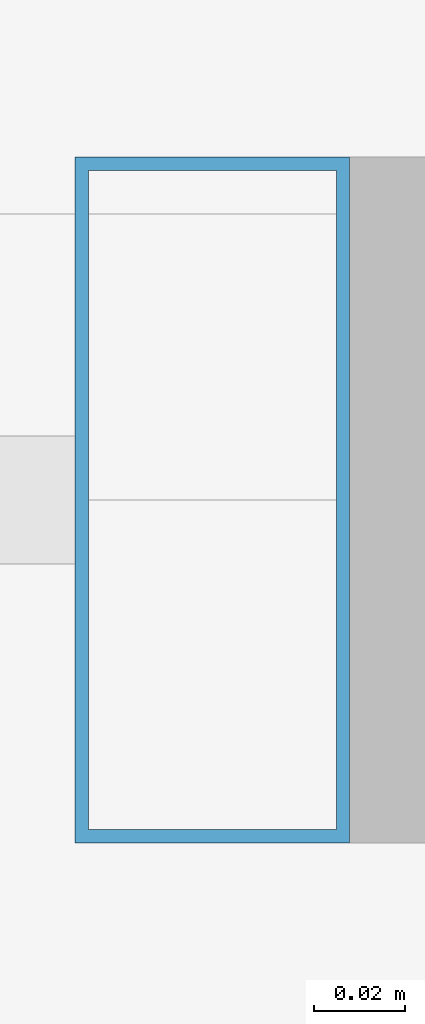
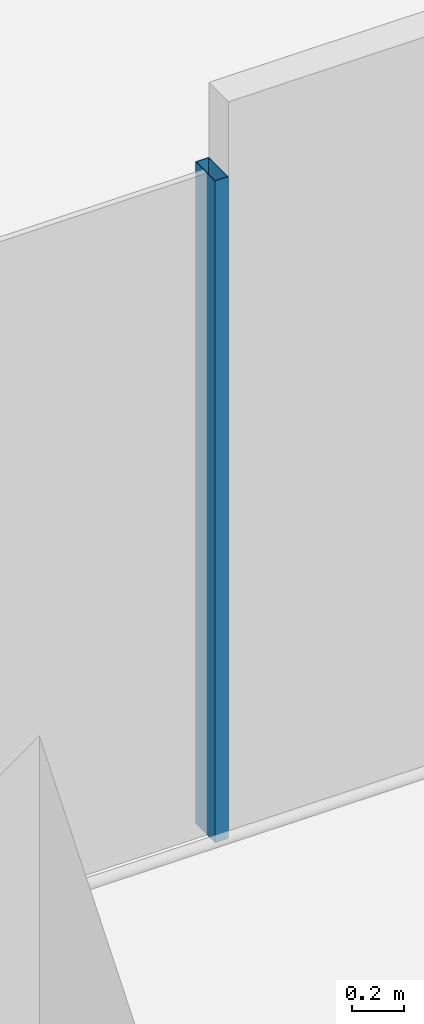
# One storey, part 7 of 56: 1 member, 1 element without a shape of its own.
"""IFC4 building model written with IfcOpenShell, lengths in metres."""

from ifc_helpers import new_model, si_unit, direction, frame, origin, origin_2d, place, context, subcontext, project, spatial, hollow_rectangle, extrude, material, material_profile, profile_set, type_object, element, aggregate, save


model = new_model("IFC4")

# Units and contexts
model_context = context("Model", 3, precision=1e-05, world=origin(), true_north=direction((0.0, 1.0)))
body_context = subcontext(model_context, "Body", "Model", "MODEL_VIEW")
ifc_project = project(units=[si_unit("LENGTHUNIT", "METRE"), si_unit("AREAUNIT", "SQUARE_METRE"), si_unit("VOLUMEUNIT", "CUBIC_METRE"), si_unit("PLANEANGLEUNIT", "RADIAN"), si_unit("MASSUNIT", "GRAM", prefix="KILO")], contexts=[model_context])

# Site, building, storey
site_placement = place(None, origin())
site = spatial("IfcSite", under=ifc_project, at=site_placement, CompositionType="ELEMENT")
building_placement = place(site_placement, origin())
building = spatial("IfcBuilding", under=site, at=building_placement, Name="Altepetl Exchange Towers", CompositionType="ELEMENT")
storey_placement = place(building_placement, frame((0.0, 0.0, 79.800048828125)))
storey = spatial("IfcBuildingStorey", under=building, at=storey_placement, Name="L19", CompositionType="ELEMENT", Elevation=79.800048828125)

# Curtain wall, member
ifc_material_1 = material(Name="Aluminium 6063-T6 glazing", Category="aluminium")
curtain_wall_type = type_object("IfcCurtainWallType", Name="Loggia glazing system", PredefinedType="NOTDEFINED", material=ifc_material_1)
curtain_wall_placement = place(storey_placement, origin())
curtain_wall = element("IfcCurtainWall", 1, at=curtain_wall_placement, inside=storey, type_object=curtain_wall_type, Name="CW1 run", PredefinedType="NOTDEFINED")
ifc_material_2 = material(Name="Aluminium 6063-T6", Category="aluminium")
ifc_material_profile = material_profile(ifc_material_2, hollow_rectangle(XDim=0.06005859375, YDim=0.14990234375, WallThickness=0.0029296875, at=origin_2d()), Name="Mullion 60x150 aluminium")
ifc_profile_set = profile_set([ifc_material_profile], Name="Aluminium 6063-T6")
member_type = type_object("IfcMemberType", Name="Mullion 60x150 aluminium", PredefinedType="MULLION", material=ifc_profile_set)
member_placement = place(storey_placement, frame((47.152099609375, 29.0, 0.0)))
member = element("IfcMember", 2, at=member_placement, type_object=member_type, Name="MU1 mullion", PredefinedType="MULLION", context=body_context, shape_type="SweptSolid", body=[
    extrude(hollow_rectangle(XDim=0.06005859375, YDim=0.14990234375, WallThickness=0.0029296875, at=origin_2d()), origin(), (0.0, 0.0, 1.0), 3.099853515625),
])
aggregate(curtain_wall, [member])

save(model, "model.ifc")
